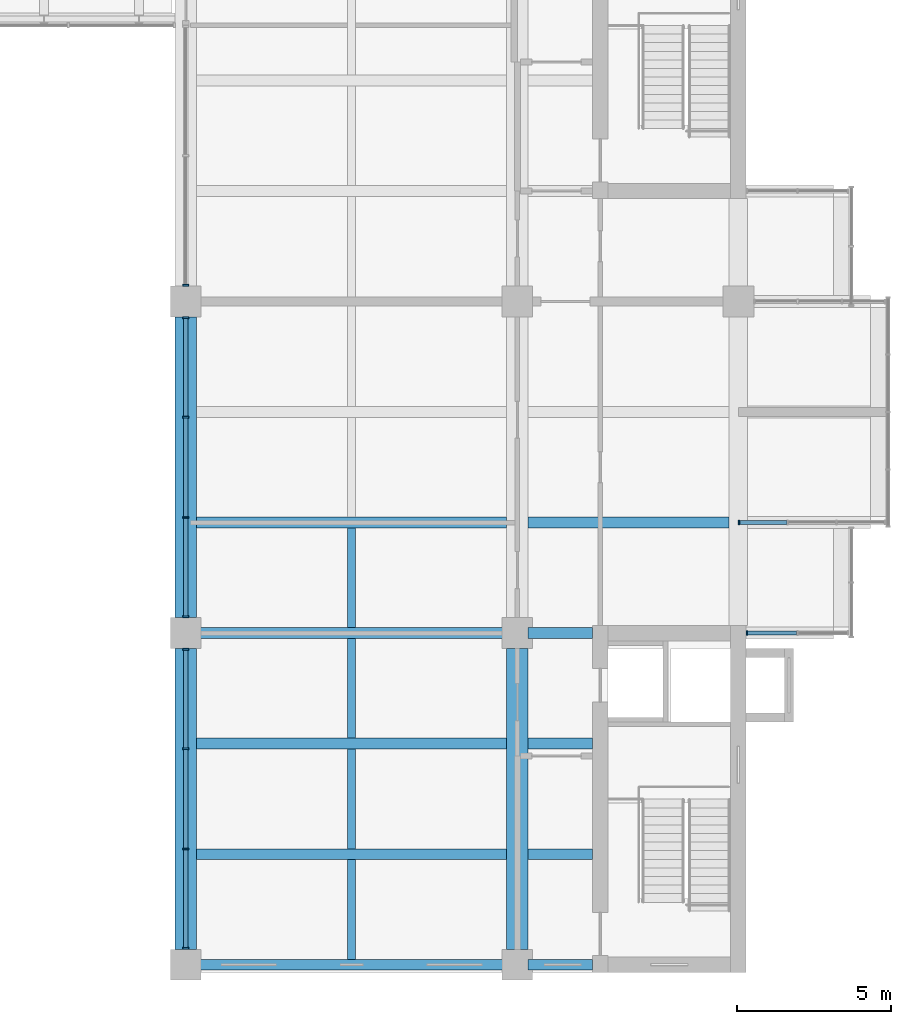
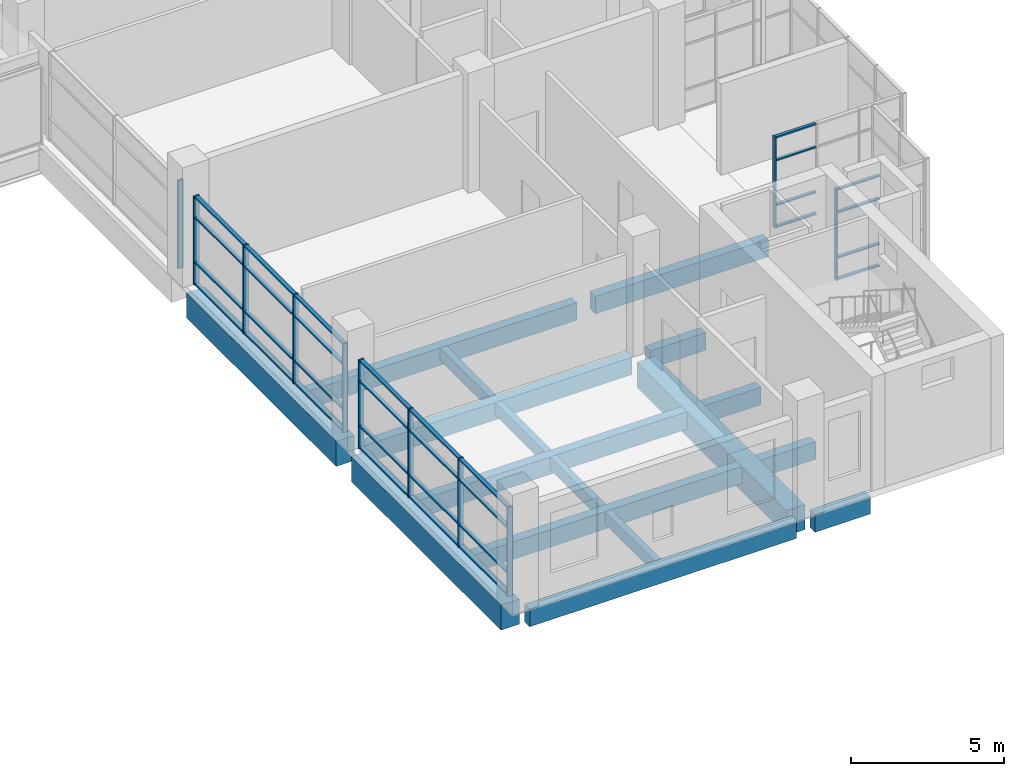
# One storey, part 5 of 35: 43 members, 17 beams, 5 elements without a shape of their own.
"""IFC4 building model written with IfcOpenShell, lengths in metres."""

from ifc_helpers import new_model, si_unit, direction, frame, origin, origin_2d, place, context, subcontext, project, spatial, rectangle, extrude, material, layer, layer_set, material_profile, profile_set, type_object, element, aggregate, save


model = new_model("IFC4")

# Units and contexts
model_context = context("Model", 3, precision=1e-05, world=origin(), true_north=direction((0.0, 1.0)))
body_context = subcontext(model_context, "Body", "Model", "MODEL_VIEW")
ifc_project = project(units=[si_unit("LENGTHUNIT", "METRE"), si_unit("AREAUNIT", "SQUARE_METRE"), si_unit("VOLUMEUNIT", "CUBIC_METRE"), si_unit("PLANEANGLEUNIT", "RADIAN"), si_unit("MASSUNIT", "GRAM", prefix="KILO")], contexts=[model_context])

# Site, building, storey
site_placement = place(None, origin())
site = spatial("IfcSite", under=ifc_project, at=site_placement, CompositionType="ELEMENT")
building_placement = place(site_placement, origin())
building = spatial("IfcBuilding", under=site, at=building_placement, Name="Basin Gate Institute", CompositionType="ELEMENT")
storey_placement = place(building_placement, frame((0.0, 0.0, 31.800048828125)))
storey = spatial("IfcBuildingStorey", under=building, at=storey_placement, Name="L06", CompositionType="ELEMENT", Elevation=31.800048828125)

# Beams
ifc_material_1 = material(Name="Concrete 40 MPa", Category="concrete")
ifc_material_profile_1 = material_profile(ifc_material_1, rectangle(XDim=0.35009765625, YDim=0.699951171875, at=origin_2d()), Name="Beam B1 350 x 700")
ifc_profile_set_1 = profile_set([ifc_material_profile_1], Name="Concrete 40 MPa")
beam_type_1 = type_object("IfcBeamType", Name="Beam B1 R120", PredefinedType="BEAM", material=ifc_profile_set_1)
beam_1_placement = place(storey_placement, frame((111.25, 35.10009765625, -0.60009765625), z_axis=(-1.0, 0.0, 0.0), x_axis=(0.0, -1.0, 0.0)))
element("IfcBeam", 1, at=beam_1_placement, inside=storey, type_object=beam_type_1, material=ifc_profile_set_1, Name="BEAM/L06/E/EW/01", PredefinedType="BEAM", context=body_context, shape_type="SweptSolid", body=[
    extrude(rectangle(XDim=0.35009765625, YDim=0.699951171875, at=origin_2d()), origin(), (0.0, 0.0, 1.0), 10.10009765625),
])
beam_2_placement = place(storey_placement, frame((114.050048828125, 35.10009765625, -0.60009765625), z_axis=(-1.0, 0.0, 0.0), x_axis=(0.0, -1.0, 0.0)))
element("IfcBeam", 2, at=beam_2_placement, inside=storey, type_object=beam_type_1, material=ifc_profile_set_1, Name="BEAM/L06/E/CORR/01", PredefinedType="BEAM", context=body_context, shape_type="SweptSolid", body=[
    extrude(rectangle(XDim=0.35009765625, YDim=0.699951171875, at=origin_2d()), origin(), (0.0, 0.0, 1.0), 2.10009765625),
])
beam_3_placement = place(storey_placement, frame((111.25, 38.699951171875, -0.60009765625), z_axis=(-1.0, 0.0, 0.0), x_axis=(0.0, -1.0, 0.0)))
element("IfcBeam", 3, at=beam_3_placement, inside=storey, type_object=beam_type_1, material=ifc_profile_set_1, Name="BEAM/L06/E/EW/02", PredefinedType="BEAM", context=body_context, shape_type="SweptSolid", body=[
    extrude(rectangle(XDim=0.35009765625, YDim=0.699951171875, at=origin_2d()), origin(), (0.0, 0.0, 1.0), 10.10009765625),
])
beam_4_placement = place(storey_placement, frame((114.050048828125, 38.699951171875, -0.60009765625), z_axis=(-1.0, 0.0, 0.0), x_axis=(0.0, -1.0, 0.0)))
element("IfcBeam", 4, at=beam_4_placement, inside=storey, type_object=beam_type_1, material=ifc_profile_set_1, Name="BEAM/L06/E/CORR/02", PredefinedType="BEAM", context=body_context, shape_type="SweptSolid", body=[
    extrude(rectangle(XDim=0.35009765625, YDim=0.699951171875, at=origin_2d()), origin(), (0.0, 0.0, 1.0), 2.10009765625),
])
beam_5_placement = place(storey_placement, frame((111.25, 42.300048828125, -0.60009765625), z_axis=(-1.0, 0.0, 0.0), x_axis=(0.0, -1.0, 0.0)))
element("IfcBeam", 5, at=beam_5_placement, inside=storey, type_object=beam_type_1, material=ifc_profile_set_1, Name="BEAM/L06/E/EW/03", PredefinedType="BEAM", context=body_context, shape_type="SweptSolid", body=[
    extrude(rectangle(XDim=0.35009765625, YDim=0.699951171875, at=origin_2d()), origin(), (0.0, 0.0, 1.0), 10.10009765625),
])
beam_6_placement = place(storey_placement, frame((114.050048828125, 42.300048828125, -0.60009765625), z_axis=(-1.0, 0.0, 0.0), x_axis=(0.0, -1.0, 0.0)))
element("IfcBeam", 6, at=beam_6_placement, inside=storey, type_object=beam_type_1, material=ifc_profile_set_1, Name="BEAM/L06/E/CORR/03", PredefinedType="BEAM", context=body_context, shape_type="SweptSolid", body=[
    extrude(rectangle(XDim=0.35009765625, YDim=0.699951171875, at=origin_2d()), origin(), (0.0, 0.0, 1.0), 2.10009765625),
])
beam_7_placement = place(storey_placement, frame((111.25, 45.89990234375, -0.60009765625), z_axis=(-1.0, 0.0, 0.0), x_axis=(0.0, -1.0, 0.0)))
element("IfcBeam", 7, at=beam_7_placement, inside=storey, type_object=beam_type_1, material=ifc_profile_set_1, Name="BEAM/L06/E/EW/04", PredefinedType="BEAM", context=body_context, shape_type="SweptSolid", body=[
    extrude(rectangle(XDim=0.35009765625, YDim=0.699951171875, at=origin_2d()), origin(), (0.0, 0.0, 1.0), 10.10009765625),
])
beam_8_placement = place(storey_placement, frame((114.050048828125, 45.89990234375, -0.60009765625), z_axis=(-1.0, 0.0, 0.0), x_axis=(0.0, -1.0, 0.0)))
element("IfcBeam", 8, at=beam_8_placement, inside=storey, type_object=beam_type_1, material=ifc_profile_set_1, Name="BEAM/L06/E/CORR/04", PredefinedType="BEAM", context=body_context, shape_type="SweptSolid", body=[
    extrude(rectangle(XDim=0.35009765625, YDim=0.699951171875, at=origin_2d()), origin(), (0.0, 0.0, 1.0), 2.10009765625),
])
beam_9_placement = place(storey_placement, frame((111.25, 49.5, -0.60009765625), z_axis=(-1.0, 0.0, 0.0), x_axis=(0.0, -1.0, 0.0)))
element("IfcBeam", 9, at=beam_9_placement, inside=storey, type_object=beam_type_1, material=ifc_profile_set_1, Name="BEAM/L06/E/EW/05", PredefinedType="BEAM", context=body_context, shape_type="SweptSolid", body=[
    extrude(rectangle(XDim=0.35009765625, YDim=0.699951171875, at=origin_2d()), origin(), (0.0, 0.0, 1.0), 10.10009765625),
])
beam_10_placement = place(storey_placement, frame((118.5, 49.5, -0.60009765625), z_axis=(-1.0, 0.0, 0.0), x_axis=(0.0, -1.0, 0.0)))
element("IfcBeam", 10, at=beam_10_placement, inside=storey, type_object=beam_type_1, material=ifc_profile_set_1, Name="BEAM/L06/E/OUT/05", PredefinedType="BEAM", context=body_context, shape_type="SweptSolid", body=[
    extrude(rectangle(XDim=0.35009765625, YDim=0.699951171875, at=origin_2d()), origin(), (0.0, 0.0, 1.0), 6.550048828125),
])
ifc_material_2 = material(Name="Concrete 50 MPa", Category="concrete")
ifc_material_profile_2 = material_profile(ifc_material_2, rectangle(XDim=0.699951171875, YDim=1.0, at=origin_2d()), Name="Girder G1 700 x 1000")
ifc_profile_set_2 = profile_set([ifc_material_profile_2], Name="Concrete 50 MPa")
beam_type_2 = type_object("IfcBeamType", Name="Girder G1 R120", PredefinedType="BEAM", material=ifc_profile_set_2)
for number, where, z_axis, x_axis, name in (
    (11, (111.60009765625, 35.60009765625, -0.75), (0.0, 1.0, 0.0), (-1.0, 0.0, 0.0), "GIR/L06/E8/1"),
    (12, (100.800048828125, 35.60009765625, -0.75), (0.0, 1.0, 0.0), (-1.0, 0.0, 0.0), "GIR/L06/E7/1"),
):
    element("IfcBeam", number, at=place(storey_placement, frame(where, z_axis=z_axis, x_axis=x_axis)), inside=storey, type_object=beam_type_2, material=ifc_profile_set_2, Name=name, PredefinedType="BEAM", context=body_context, shape_type="SweptSolid", body=[
        extrude(rectangle(XDim=0.699951171875, YDim=1.0, at=origin_2d()), origin(), (0.0, 0.0, 1.0), 9.7998046875),
    ])
beam_11_placement = place(storey_placement, frame((100.800048828125, 46.39990234375, -0.75), z_axis=(0.0, 1.0, 0.0), x_axis=(-1.0, 0.0, 0.0)))
element("IfcBeam", 13, at=beam_11_placement, inside=storey, type_object=beam_type_2, material=ifc_profile_set_2, Name="GIR/L06/E7/2", PredefinedType="BEAM", context=body_context, shape_type="SweptSolid", body=[
    extrude(rectangle(XDim=0.699951171875, YDim=1.0, at=origin_2d()), origin(), (0.0, 0.0, 1.0), 9.800048828125),
])

# Curtain wall, member
ifc_material_3 = material(Name="Aluminium-framed glazing", Category="aluminium")
ifc_layer_1 = layer(ifc_material_3, 0.14990234375)
ifc_layer_set_1 = layer_set([ifc_layer_1], Name="Capsule front curtain wall CW1")
curtain_wall_type_1 = type_object("IfcCurtainWallType", Name="Capsule front curtain wall CW1", PredefinedType="NOTDEFINED", material=ifc_layer_set_1)
curtain_wall_1_placement = place(storey_placement, origin())
curtain_wall_1 = element("IfcCurtainWall", 14, at=curtain_wall_1_placement, inside=storey, type_object=curtain_wall_type_1, material=ifc_layer_set_1, Name="Capsule front curtain wall E wing capsule end L06 line 4", PredefinedType="NOTDEFINED")
ifc_material_4 = material(Name="Aluminium", Category="aluminium")
ifc_material_profile_3 = material_profile(ifc_material_4, rectangle(XDim=0.14990234375, YDim=0.050048828125, at=origin_2d()), Name="Mullion MU1 150 x 50")
ifc_profile_set_3 = profile_set([ifc_material_profile_3], Name="Aluminium")
member_type_1 = type_object("IfcMemberType", Name="Mullion MU1", PredefinedType="MULLION", material=ifc_profile_set_3)
member_1_placement = place(storey_placement, frame((119.074951171875, 45.89990234375, 0.0), z_axis=(0.0, 0.0, 1.0), x_axis=(0.0, -1.0, 0.0)))
member_1 = element("IfcMember", 15, at=member_1_placement, type_object=member_type_1, material=ifc_profile_set_3, Name="CW1 mullion 3", PredefinedType="MULLION", context=body_context, shape_type="SweptSolid", body=[
    extrude(rectangle(XDim=0.14990234375, YDim=0.050048828125, at=origin_2d()), origin(), (0.0, 0.0, 1.0), 3.64990234375),
])

curtain_wall_2_placement = place(storey_placement, origin())
curtain_wall_2 = element("IfcCurtainWall", 16, at=curtain_wall_2_placement, inside=storey, type_object=curtain_wall_type_1, material=ifc_layer_set_1, Name="Capsule front curtain wall E wing capsule end L06 line 5", PredefinedType="NOTDEFINED")
member_2_placement = place(storey_placement, frame((118.824951171875, 49.5, 0.0), z_axis=(0.0, 0.0, 1.0), x_axis=(0.0, -1.0, 0.0)))
member_2 = element("IfcMember", 17, at=member_2_placement, type_object=member_type_1, material=ifc_profile_set_3, Name="CW1 mullion 4", PredefinedType="MULLION", context=body_context, shape_type="SweptSolid", body=[
    extrude(rectangle(XDim=0.14990234375, YDim=0.050048828125, at=origin_2d()), origin(), (0.0, 0.0, 1.0), 3.64990234375),
])

# Curtain wall, members
ifc_material_5 = material(Name="Aluminium-framed glazing", Category="aluminium")
ifc_layer_2 = layer(ifc_material_5, 0.199951171875)
ifc_layer_set_2 = layer_set([ifc_layer_2], Name="Atrium curtain wall CW2")
curtain_wall_type_2 = type_object("IfcCurtainWallType", Name="Atrium curtain wall CW2", PredefinedType="NOTDEFINED", material=ifc_layer_set_2)
curtain_wall_3_placement = place(storey_placement, origin())
curtain_wall_3 = element("IfcCurtainWall", 18, at=curtain_wall_3_placement, inside=storey, type_object=curtain_wall_type_2, material=ifc_layer_set_2, Name="Atrium curtain wall E wing atrium bay 1 L06", PredefinedType="NOTDEFINED")
ifc_material_6 = material(Name="Aluminium", Category="aluminium")
ifc_material_profile_4 = material_profile(ifc_material_6, rectangle(XDim=0.199951171875, YDim=0.06005859375, at=origin_2d()), Name="Mullion MU2 200 x 60")
ifc_profile_set_4 = profile_set([ifc_material_profile_4], Name="Aluminium")
member_type_2 = type_object("IfcMemberType", Name="Mullion MU2", PredefinedType="MULLION", material=ifc_profile_set_4)
member_3_placement = place(storey_placement, frame((100.800048828125, 35.6298828125, 0.0), z_axis=(0.0, 0.0, 1.0), x_axis=(-1.0, 0.0, 0.0)))
member_3 = element("IfcMember", 19, at=member_3_placement, type_object=member_type_2, material=ifc_profile_set_4, Name="CW2 mullion 1", PredefinedType="MULLION", context=body_context, shape_type="SweptSolid", body=[
    extrude(rectangle(XDim=0.199951171875, YDim=0.06005859375, at=origin_2d()), origin(), (0.0, 0.0, 1.0), 3.550048828125),
])
member_4_placement = place(storey_placement, frame((100.800048828125, 38.86669921875, 0.0), z_axis=(0.0, 0.0, 1.0), x_axis=(-1.0, 0.0, 0.0)))
member_4 = element("IfcMember", 20, at=member_4_placement, type_object=member_type_2, material=ifc_profile_set_4, Name="CW2 mullion 2", PredefinedType="MULLION", context=body_context, shape_type="SweptSolid", body=[
    extrude(rectangle(XDim=0.199951171875, YDim=0.06005859375, at=origin_2d()), origin(), (0.0, 0.0, 1.0), 3.550048828125),
])
member_5_placement = place(storey_placement, frame((100.800048828125, 42.13330078125, 0.0), z_axis=(0.0, 0.0, 1.0), x_axis=(-1.0, 0.0, 0.0)))
member_5 = element("IfcMember", 21, at=member_5_placement, type_object=member_type_2, material=ifc_profile_set_4, Name="CW2 mullion 3", PredefinedType="MULLION", context=body_context, shape_type="SweptSolid", body=[
    extrude(rectangle(XDim=0.199951171875, YDim=0.06005859375, at=origin_2d()), origin(), (0.0, 0.0, 1.0), 3.550048828125),
])
member_6_placement = place(storey_placement, frame((100.800048828125, 45.3701171875, 0.0), z_axis=(0.0, 0.0, 1.0), x_axis=(-1.0, 0.0, 0.0)))
member_6 = element("IfcMember", 22, at=member_6_placement, type_object=member_type_2, material=ifc_profile_set_4, Name="CW2 mullion 4", PredefinedType="MULLION", context=body_context, shape_type="SweptSolid", body=[
    extrude(rectangle(XDim=0.199951171875, YDim=0.06005859375, at=origin_2d()), origin(), (0.0, 0.0, 1.0), 3.550048828125),
])

curtain_wall_4_placement = place(storey_placement, origin())
curtain_wall_4 = element("IfcCurtainWall", 23, at=curtain_wall_4_placement, inside=storey, type_object=curtain_wall_type_2, material=ifc_layer_set_2, Name="Atrium curtain wall E wing atrium bay 2 L06", PredefinedType="NOTDEFINED")
member_7_placement = place(storey_placement, frame((100.800048828125, 46.429931640625, 0.0), z_axis=(0.0, 0.0, 1.0), x_axis=(-1.0, 0.0, 0.0)))
member_7 = element("IfcMember", 24, at=member_7_placement, type_object=member_type_2, material=ifc_profile_set_4, Name="CW2 mullion 1", PredefinedType="MULLION", context=body_context, shape_type="SweptSolid", body=[
    extrude(rectangle(XDim=0.199951171875, YDim=0.06005859375, at=origin_2d()), origin(), (0.0, 0.0, 1.0), 3.550048828125),
])
member_8_placement = place(storey_placement, frame((100.800048828125, 49.666748046875, 0.0), z_axis=(0.0, 0.0, 1.0), x_axis=(-1.0, 0.0, 0.0)))
member_8 = element("IfcMember", 25, at=member_8_placement, type_object=member_type_2, material=ifc_profile_set_4, Name="CW2 mullion 2", PredefinedType="MULLION", context=body_context, shape_type="SweptSolid", body=[
    extrude(rectangle(XDim=0.199951171875, YDim=0.06005859375, at=origin_2d()), origin(), (0.0, 0.0, 1.0), 3.550048828125),
])
member_9_placement = place(storey_placement, frame((100.800048828125, 52.933349609375, 0.0), z_axis=(0.0, 0.0, 1.0), x_axis=(-1.0, 0.0, 0.0)))
member_9 = element("IfcMember", 26, at=member_9_placement, type_object=member_type_2, material=ifc_profile_set_4, Name="CW2 mullion 3", PredefinedType="MULLION", context=body_context, shape_type="SweptSolid", body=[
    extrude(rectangle(XDim=0.199951171875, YDim=0.06005859375, at=origin_2d()), origin(), (0.0, 0.0, 1.0), 3.550048828125),
])
member_10_placement = place(storey_placement, frame((100.800048828125, 56.169921875, 0.0), z_axis=(0.0, 0.0, 1.0), x_axis=(-1.0, 0.0, 0.0)))
member_10 = element("IfcMember", 27, at=member_10_placement, type_object=member_type_2, material=ifc_profile_set_4, Name="CW2 mullion 4", PredefinedType="MULLION", context=body_context, shape_type="SweptSolid", body=[
    extrude(rectangle(XDim=0.199951171875, YDim=0.06005859375, at=origin_2d()), origin(), (0.0, 0.0, 1.0), 3.550048828125),
])

# Curtain wall, member
curtain_wall_5_placement = place(storey_placement, origin())
curtain_wall_5 = element("IfcCurtainWall", 28, at=curtain_wall_5_placement, inside=storey, type_object=curtain_wall_type_2, material=ifc_layer_set_2, Name="Atrium curtain wall E wing atrium bay 3 L06 part 1", PredefinedType="NOTDEFINED")
member_11_placement = place(storey_placement, frame((100.800048828125, 57.22998046875, 0.0), z_axis=(0.0, 0.0, 1.0), x_axis=(-1.0, 0.0, 0.0)))
member_11 = element("IfcMember", 29, at=member_11_placement, type_object=member_type_2, material=ifc_profile_set_4, Name="CW2 mullion 1", PredefinedType="MULLION", context=body_context, shape_type="SweptSolid", body=[
    extrude(rectangle(XDim=0.199951171875, YDim=0.06005859375, at=origin_2d()), origin(), (0.0, 0.0, 1.0), 3.550048828125),
])
aggregate(curtain_wall_5, [member_11])

# Beams
ifc_material_7 = material(Name="Concrete 40 MPa", Category="concrete")
ifc_material_profile_5 = material_profile(ifc_material_7, rectangle(XDim=0.25, YDim=0.5, at=origin_2d()), Name="Rib R1 250 x 500")
ifc_profile_set_5 = profile_set([ifc_material_profile_5], Name="Concrete 40 MPa")
beam_type_3 = type_object("IfcBeamType", Name="Rib R1 R120", PredefinedType="JOIST", material=ifc_profile_set_5)
for number, where, z_axis, x_axis, name in (
    (30, (106.199951171875, 35.27490234375, -0.5), (0.0, 1.0, 0.0), (-1.0, 0.0, 0.0), "BEAM/L06/E/RIB/01"),
    (31, (106.199951171875, 38.875, -0.5), (0.0, 1.0, 0.0), (-1.0, 0.0, 0.0), "BEAM/L06/E/RIB/02"),
    (32, (106.199951171875, 42.47509765625, -0.5), (0.0, 1.0, 0.0), (-1.0, 0.0, 0.0), "BEAM/L06/E/RIB/03"),
    (33, (106.199951171875, 46.074951171875, -0.5), (0.0, 1.0, 0.0), (-1.0, 0.0, 0.0), "BEAM/L06/E/RIB/04"),
):
    element("IfcBeam", number, at=place(storey_placement, frame(where, z_axis=z_axis, x_axis=x_axis)), inside=storey, type_object=beam_type_3, material=ifc_profile_set_5, Name=name, PredefinedType="JOIST", context=body_context, shape_type="SweptSolid", body=[
        extrude(rectangle(XDim=0.25, YDim=0.5, at=origin_2d()), origin(), (0.0, 0.0, 1.0), 3.25),
    ])

# Member
ifc_material_8 = material(Name="Aluminium", Category="aluminium")
ifc_material_profile_6 = material_profile(ifc_material_8, rectangle(XDim=0.1201171875, YDim=0.06005859375, at=origin_2d()), Name="Transom TR1 120 x 60")
ifc_profile_set_6 = profile_set([ifc_material_profile_6], Name="Aluminium")
member_type_3 = type_object("IfcMemberType", Name="Transom TR1", PredefinedType="USERDEFINED", material=ifc_profile_set_6)
member_12_placement = place(storey_placement, frame((120.699951171875, 45.89990234375, 0.030029296875), z_axis=(-1.0, 0.0, 0.0), x_axis=(0.0, -1.0, 0.0)))
member_12 = element("IfcMember", 34, at=member_12_placement, type_object=member_type_3, material=ifc_profile_set_6, Name="CW1 transom 2.1", ObjectType="TRANSOM", PredefinedType="USERDEFINED", context=body_context, shape_type="SweptSolid", body=[
    extrude(rectangle(XDim=0.1201171875, YDim=0.06005859375, at=origin_2d()), origin(), (0.0, 0.0, 1.0), 1.599853515625),
])

member_13_placement = place(storey_placement, frame((120.699951171875, 45.89990234375, 0.89990234375), z_axis=(-1.0, 0.0, 0.0), x_axis=(0.0, -1.0, 0.0)))
member_13 = element("IfcMember", 35, at=member_13_placement, type_object=member_type_3, material=ifc_profile_set_6, Name="CW1 transom 2.2", ObjectType="TRANSOM", PredefinedType="USERDEFINED", context=body_context, shape_type="SweptSolid", body=[
    extrude(rectangle(XDim=0.1201171875, YDim=0.06005859375, at=origin_2d()), origin(), (0.0, 0.0, 1.0), 1.599853515625),
])

member_14_placement = place(storey_placement, frame((120.699951171875, 45.89990234375, 2.699951171875), z_axis=(-1.0, 0.0, 0.0), x_axis=(0.0, -1.0, 0.0)))
member_14 = element("IfcMember", 36, at=member_14_placement, type_object=member_type_3, material=ifc_profile_set_6, Name="CW1 transom 2.3", ObjectType="TRANSOM", PredefinedType="USERDEFINED", context=body_context, shape_type="SweptSolid", body=[
    extrude(rectangle(XDim=0.1201171875, YDim=0.06005859375, at=origin_2d()), origin(), (0.0, 0.0, 1.0), 1.599853515625),
])

member_15_placement = place(storey_placement, frame((120.699951171875, 45.89990234375, 3.619873046875), z_axis=(-1.0, 0.0, 0.0), x_axis=(0.0, -1.0, 0.0)))
member_15 = element("IfcMember", 37, at=member_15_placement, type_object=member_type_3, material=ifc_profile_set_6, Name="CW1 transom 2.4", ObjectType="TRANSOM", PredefinedType="USERDEFINED", context=body_context, shape_type="SweptSolid", body=[
    extrude(rectangle(XDim=0.1201171875, YDim=0.06005859375, at=origin_2d()), origin(), (0.0, 0.0, 1.0), 1.599853515625),
])

aggregate(curtain_wall_1, [member_1, member_12, member_13, member_14, member_15])

member_16_placement = place(storey_placement, frame((120.375, 49.5, 0.030029296875), z_axis=(-1.0, 0.0, 0.0), x_axis=(0.0, -1.0, 0.0)))
member_16 = element("IfcMember", 38, at=member_16_placement, type_object=member_type_3, material=ifc_profile_set_6, Name="CW1 transom 3.1", ObjectType="TRANSOM", PredefinedType="USERDEFINED", context=body_context, shape_type="SweptSolid", body=[
    extrude(rectangle(XDim=0.1201171875, YDim=0.06005859375, at=origin_2d()), origin(), (0.0, 0.0, 1.0), 1.52490234375),
])

member_17_placement = place(storey_placement, frame((120.375, 49.5, 0.89990234375), z_axis=(-1.0, 0.0, 0.0), x_axis=(0.0, -1.0, 0.0)))
member_17 = element("IfcMember", 39, at=member_17_placement, type_object=member_type_3, material=ifc_profile_set_6, Name="CW1 transom 3.2", ObjectType="TRANSOM", PredefinedType="USERDEFINED", context=body_context, shape_type="SweptSolid", body=[
    extrude(rectangle(XDim=0.1201171875, YDim=0.06005859375, at=origin_2d()), origin(), (0.0, 0.0, 1.0), 1.52490234375),
])

member_18_placement = place(storey_placement, frame((120.375, 49.5, 2.699951171875), z_axis=(-1.0, 0.0, 0.0), x_axis=(0.0, -1.0, 0.0)))
member_18 = element("IfcMember", 40, at=member_18_placement, type_object=member_type_3, material=ifc_profile_set_6, Name="CW1 transom 3.3", ObjectType="TRANSOM", PredefinedType="USERDEFINED", context=body_context, shape_type="SweptSolid", body=[
    extrude(rectangle(XDim=0.1201171875, YDim=0.06005859375, at=origin_2d()), origin(), (0.0, 0.0, 1.0), 1.52490234375),
])

member_19_placement = place(storey_placement, frame((120.375, 49.5, 3.619873046875), z_axis=(-1.0, 0.0, 0.0), x_axis=(0.0, -1.0, 0.0)))
member_19 = element("IfcMember", 41, at=member_19_placement, type_object=member_type_3, material=ifc_profile_set_6, Name="CW1 transom 3.4", ObjectType="TRANSOM", PredefinedType="USERDEFINED", context=body_context, shape_type="SweptSolid", body=[
    extrude(rectangle(XDim=0.1201171875, YDim=0.06005859375, at=origin_2d()), origin(), (0.0, 0.0, 1.0), 1.52490234375),
])

aggregate(curtain_wall_2, [member_2, member_16, member_17, member_18, member_19])

ifc_material_9 = material(Name="Aluminium", Category="aluminium")
ifc_material_profile_7 = material_profile(ifc_material_9, rectangle(XDim=0.14990234375, YDim=0.06005859375, at=origin_2d()), Name="Transom TR2 150 x 60")
ifc_profile_set_7 = profile_set([ifc_material_profile_7], Name="Aluminium")
member_type_4 = type_object("IfcMemberType", Name="Transom TR2", PredefinedType="USERDEFINED", material=ifc_profile_set_7)
member_20_placement = place(storey_placement, frame((100.800048828125, 35.659912109375, 0.030029296875), z_axis=(0.0, 1.0, 0.0), x_axis=(-1.0, 0.0, 0.0)))
member_20 = element("IfcMember", 42, at=member_20_placement, type_object=member_type_4, material=ifc_profile_set_7, Name="CW2 transom 1.1", ObjectType="TRANSOM", PredefinedType="USERDEFINED", context=body_context, shape_type="SweptSolid", body=[
    extrude(rectangle(XDim=0.14990234375, YDim=0.06005859375, at=origin_2d()), origin(), (0.0, 0.0, 1.0), 3.1767578125),
])

member_21_placement = place(storey_placement, frame((100.800048828125, 35.659912109375, 0.89990234375), z_axis=(0.0, 1.0, 0.0), x_axis=(-1.0, 0.0, 0.0)))
member_21 = element("IfcMember", 43, at=member_21_placement, type_object=member_type_4, material=ifc_profile_set_7, Name="CW2 transom 1.2", ObjectType="TRANSOM", PredefinedType="USERDEFINED", context=body_context, shape_type="SweptSolid", body=[
    extrude(rectangle(XDim=0.14990234375, YDim=0.06005859375, at=origin_2d()), origin(), (0.0, 0.0, 1.0), 3.1767578125),
])

member_22_placement = place(storey_placement, frame((100.800048828125, 35.659912109375, 2.699951171875), z_axis=(0.0, 1.0, 0.0), x_axis=(-1.0, 0.0, 0.0)))
member_22 = element("IfcMember", 44, at=member_22_placement, type_object=member_type_4, material=ifc_profile_set_7, Name="CW2 transom 1.3", ObjectType="TRANSOM", PredefinedType="USERDEFINED", context=body_context, shape_type="SweptSolid", body=[
    extrude(rectangle(XDim=0.14990234375, YDim=0.06005859375, at=origin_2d()), origin(), (0.0, 0.0, 1.0), 3.1767578125),
])

member_23_placement = place(storey_placement, frame((100.800048828125, 35.659912109375, 3.52001953125), z_axis=(0.0, 1.0, 0.0), x_axis=(-1.0, 0.0, 0.0)))
member_23 = element("IfcMember", 45, at=member_23_placement, type_object=member_type_4, material=ifc_profile_set_7, Name="CW2 transom 1.4", ObjectType="TRANSOM", PredefinedType="USERDEFINED", context=body_context, shape_type="SweptSolid", body=[
    extrude(rectangle(XDim=0.14990234375, YDim=0.06005859375, at=origin_2d()), origin(), (0.0, 0.0, 1.0), 3.1767578125),
])

member_24_placement = place(storey_placement, frame((100.800048828125, 38.896728515625, 0.030029296875), z_axis=(0.0, 1.0, 0.0), x_axis=(-1.0, 0.0, 0.0)))
member_24 = element("IfcMember", 46, at=member_24_placement, type_object=member_type_4, material=ifc_profile_set_7, Name="CW2 transom 2.1", ObjectType="TRANSOM", PredefinedType="USERDEFINED", context=body_context, shape_type="SweptSolid", body=[
    extrude(rectangle(XDim=0.14990234375, YDim=0.06005859375, at=origin_2d()), origin(), (0.0, 0.0, 1.0), 3.20654296875),
])

member_25_placement = place(storey_placement, frame((100.800048828125, 38.896728515625, 0.89990234375), z_axis=(0.0, 1.0, 0.0), x_axis=(-1.0, 0.0, 0.0)))
member_25 = element("IfcMember", 47, at=member_25_placement, type_object=member_type_4, material=ifc_profile_set_7, Name="CW2 transom 2.2", ObjectType="TRANSOM", PredefinedType="USERDEFINED", context=body_context, shape_type="SweptSolid", body=[
    extrude(rectangle(XDim=0.14990234375, YDim=0.06005859375, at=origin_2d()), origin(), (0.0, 0.0, 1.0), 3.20654296875),
])

member_26_placement = place(storey_placement, frame((100.800048828125, 38.896728515625, 2.699951171875), z_axis=(0.0, 1.0, 0.0), x_axis=(-1.0, 0.0, 0.0)))
member_26 = element("IfcMember", 48, at=member_26_placement, type_object=member_type_4, material=ifc_profile_set_7, Name="CW2 transom 2.3", ObjectType="TRANSOM", PredefinedType="USERDEFINED", context=body_context, shape_type="SweptSolid", body=[
    extrude(rectangle(XDim=0.14990234375, YDim=0.06005859375, at=origin_2d()), origin(), (0.0, 0.0, 1.0), 3.20654296875),
])

member_27_placement = place(storey_placement, frame((100.800048828125, 38.896728515625, 3.52001953125), z_axis=(0.0, 1.0, 0.0), x_axis=(-1.0, 0.0, 0.0)))
member_27 = element("IfcMember", 49, at=member_27_placement, type_object=member_type_4, material=ifc_profile_set_7, Name="CW2 transom 2.4", ObjectType="TRANSOM", PredefinedType="USERDEFINED", context=body_context, shape_type="SweptSolid", body=[
    extrude(rectangle(XDim=0.14990234375, YDim=0.06005859375, at=origin_2d()), origin(), (0.0, 0.0, 1.0), 3.20654296875),
])

member_28_placement = place(storey_placement, frame((100.800048828125, 42.163330078125, 0.030029296875), z_axis=(0.0, 1.0, 0.0), x_axis=(-1.0, 0.0, 0.0)))
member_28 = element("IfcMember", 50, at=member_28_placement, type_object=member_type_4, material=ifc_profile_set_7, Name="CW2 transom 3.1", ObjectType="TRANSOM", PredefinedType="USERDEFINED", context=body_context, shape_type="SweptSolid", body=[
    extrude(rectangle(XDim=0.14990234375, YDim=0.06005859375, at=origin_2d()), origin(), (0.0, 0.0, 1.0), 3.1767578125),
])

member_29_placement = place(storey_placement, frame((100.800048828125, 42.163330078125, 0.89990234375), z_axis=(0.0, 1.0, 0.0), x_axis=(-1.0, 0.0, 0.0)))
member_29 = element("IfcMember", 51, at=member_29_placement, type_object=member_type_4, material=ifc_profile_set_7, Name="CW2 transom 3.2", ObjectType="TRANSOM", PredefinedType="USERDEFINED", context=body_context, shape_type="SweptSolid", body=[
    extrude(rectangle(XDim=0.14990234375, YDim=0.06005859375, at=origin_2d()), origin(), (0.0, 0.0, 1.0), 3.1767578125),
])

member_30_placement = place(storey_placement, frame((100.800048828125, 42.163330078125, 2.699951171875), z_axis=(0.0, 1.0, 0.0), x_axis=(-1.0, 0.0, 0.0)))
member_30 = element("IfcMember", 52, at=member_30_placement, type_object=member_type_4, material=ifc_profile_set_7, Name="CW2 transom 3.3", ObjectType="TRANSOM", PredefinedType="USERDEFINED", context=body_context, shape_type="SweptSolid", body=[
    extrude(rectangle(XDim=0.14990234375, YDim=0.06005859375, at=origin_2d()), origin(), (0.0, 0.0, 1.0), 3.1767578125),
])

member_31_placement = place(storey_placement, frame((100.800048828125, 42.163330078125, 3.52001953125), z_axis=(0.0, 1.0, 0.0), x_axis=(-1.0, 0.0, 0.0)))
member_31 = element("IfcMember", 53, at=member_31_placement, type_object=member_type_4, material=ifc_profile_set_7, Name="CW2 transom 3.4", ObjectType="TRANSOM", PredefinedType="USERDEFINED", context=body_context, shape_type="SweptSolid", body=[
    extrude(rectangle(XDim=0.14990234375, YDim=0.06005859375, at=origin_2d()), origin(), (0.0, 0.0, 1.0), 3.1767578125),
])

aggregate(curtain_wall_3, [member_3, member_4, member_5, member_6, member_20, member_21, member_22, member_23, member_24, member_25, member_26, member_27, member_28, member_29, member_30, member_31])

member_32_placement = place(storey_placement, frame((100.800048828125, 46.4599609375, 0.030029296875), z_axis=(0.0, 1.0, 0.0), x_axis=(-1.0, 0.0, 0.0)))
member_32 = element("IfcMember", 54, at=member_32_placement, type_object=member_type_4, material=ifc_profile_set_7, Name="CW2 transom 1.1", ObjectType="TRANSOM", PredefinedType="USERDEFINED", context=body_context, shape_type="SweptSolid", body=[
    extrude(rectangle(XDim=0.14990234375, YDim=0.06005859375, at=origin_2d()), origin(), (0.0, 0.0, 1.0), 3.1767578125),
])

member_33_placement = place(storey_placement, frame((100.800048828125, 46.4599609375, 0.89990234375), z_axis=(0.0, 1.0, 0.0), x_axis=(-1.0, 0.0, 0.0)))
member_33 = element("IfcMember", 55, at=member_33_placement, type_object=member_type_4, material=ifc_profile_set_7, Name="CW2 transom 1.2", ObjectType="TRANSOM", PredefinedType="USERDEFINED", context=body_context, shape_type="SweptSolid", body=[
    extrude(rectangle(XDim=0.14990234375, YDim=0.06005859375, at=origin_2d()), origin(), (0.0, 0.0, 1.0), 3.1767578125),
])

member_34_placement = place(storey_placement, frame((100.800048828125, 46.4599609375, 2.699951171875), z_axis=(0.0, 1.0, 0.0), x_axis=(-1.0, 0.0, 0.0)))
member_34 = element("IfcMember", 56, at=member_34_placement, type_object=member_type_4, material=ifc_profile_set_7, Name="CW2 transom 1.3", ObjectType="TRANSOM", PredefinedType="USERDEFINED", context=body_context, shape_type="SweptSolid", body=[
    extrude(rectangle(XDim=0.14990234375, YDim=0.06005859375, at=origin_2d()), origin(), (0.0, 0.0, 1.0), 3.1767578125),
])

member_35_placement = place(storey_placement, frame((100.800048828125, 46.4599609375, 3.52001953125), z_axis=(0.0, 1.0, 0.0), x_axis=(-1.0, 0.0, 0.0)))
member_35 = element("IfcMember", 57, at=member_35_placement, type_object=member_type_4, material=ifc_profile_set_7, Name="CW2 transom 1.4", ObjectType="TRANSOM", PredefinedType="USERDEFINED", context=body_context, shape_type="SweptSolid", body=[
    extrude(rectangle(XDim=0.14990234375, YDim=0.06005859375, at=origin_2d()), origin(), (0.0, 0.0, 1.0), 3.1767578125),
])

member_36_placement = place(storey_placement, frame((100.800048828125, 49.69677734375, 0.030029296875), z_axis=(0.0, 1.0, 0.0), x_axis=(-1.0, 0.0, 0.0)))
member_36 = element("IfcMember", 58, at=member_36_placement, type_object=member_type_4, material=ifc_profile_set_7, Name="CW2 transom 2.1", ObjectType="TRANSOM", PredefinedType="USERDEFINED", context=body_context, shape_type="SweptSolid", body=[
    extrude(rectangle(XDim=0.14990234375, YDim=0.06005859375, at=origin_2d()), origin(), (0.0, 0.0, 1.0), 3.20654296875),
])

member_37_placement = place(storey_placement, frame((100.800048828125, 49.69677734375, 0.89990234375), z_axis=(0.0, 1.0, 0.0), x_axis=(-1.0, 0.0, 0.0)))
member_37 = element("IfcMember", 59, at=member_37_placement, type_object=member_type_4, material=ifc_profile_set_7, Name="CW2 transom 2.2", ObjectType="TRANSOM", PredefinedType="USERDEFINED", context=body_context, shape_type="SweptSolid", body=[
    extrude(rectangle(XDim=0.14990234375, YDim=0.06005859375, at=origin_2d()), origin(), (0.0, 0.0, 1.0), 3.20654296875),
])

member_38_placement = place(storey_placement, frame((100.800048828125, 49.69677734375, 2.699951171875), z_axis=(0.0, 1.0, 0.0), x_axis=(-1.0, 0.0, 0.0)))
member_38 = element("IfcMember", 60, at=member_38_placement, type_object=member_type_4, material=ifc_profile_set_7, Name="CW2 transom 2.3", ObjectType="TRANSOM", PredefinedType="USERDEFINED", context=body_context, shape_type="SweptSolid", body=[
    extrude(rectangle(XDim=0.14990234375, YDim=0.06005859375, at=origin_2d()), origin(), (0.0, 0.0, 1.0), 3.20654296875),
])

member_39_placement = place(storey_placement, frame((100.800048828125, 49.69677734375, 3.52001953125), z_axis=(0.0, 1.0, 0.0), x_axis=(-1.0, 0.0, 0.0)))
member_39 = element("IfcMember", 61, at=member_39_placement, type_object=member_type_4, material=ifc_profile_set_7, Name="CW2 transom 2.4", ObjectType="TRANSOM", PredefinedType="USERDEFINED", context=body_context, shape_type="SweptSolid", body=[
    extrude(rectangle(XDim=0.14990234375, YDim=0.06005859375, at=origin_2d()), origin(), (0.0, 0.0, 1.0), 3.20654296875),
])

member_40_placement = place(storey_placement, frame((100.800048828125, 52.96337890625, 0.030029296875), z_axis=(0.0, 1.0, 0.0), x_axis=(-1.0, 0.0, 0.0)))
member_40 = element("IfcMember", 62, at=member_40_placement, type_object=member_type_4, material=ifc_profile_set_7, Name="CW2 transom 3.1", ObjectType="TRANSOM", PredefinedType="USERDEFINED", context=body_context, shape_type="SweptSolid", body=[
    extrude(rectangle(XDim=0.14990234375, YDim=0.06005859375, at=origin_2d()), origin(), (0.0, 0.0, 1.0), 3.176513671875),
])

member_41_placement = place(storey_placement, frame((100.800048828125, 52.96337890625, 0.89990234375), z_axis=(0.0, 1.0, 0.0), x_axis=(-1.0, 0.0, 0.0)))
member_41 = element("IfcMember", 63, at=member_41_placement, type_object=member_type_4, material=ifc_profile_set_7, Name="CW2 transom 3.2", ObjectType="TRANSOM", PredefinedType="USERDEFINED", context=body_context, shape_type="SweptSolid", body=[
    extrude(rectangle(XDim=0.14990234375, YDim=0.06005859375, at=origin_2d()), origin(), (0.0, 0.0, 1.0), 3.176513671875),
])

member_42_placement = place(storey_placement, frame((100.800048828125, 52.96337890625, 2.699951171875), z_axis=(0.0, 1.0, 0.0), x_axis=(-1.0, 0.0, 0.0)))
member_42 = element("IfcMember", 64, at=member_42_placement, type_object=member_type_4, material=ifc_profile_set_7, Name="CW2 transom 3.3", ObjectType="TRANSOM", PredefinedType="USERDEFINED", context=body_context, shape_type="SweptSolid", body=[
    extrude(rectangle(XDim=0.14990234375, YDim=0.06005859375, at=origin_2d()), origin(), (0.0, 0.0, 1.0), 3.176513671875),
])

member_43_placement = place(storey_placement, frame((100.800048828125, 52.96337890625, 3.52001953125), z_axis=(0.0, 1.0, 0.0), x_axis=(-1.0, 0.0, 0.0)))
member_43 = element("IfcMember", 65, at=member_43_placement, type_object=member_type_4, material=ifc_profile_set_7, Name="CW2 transom 3.4", ObjectType="TRANSOM", PredefinedType="USERDEFINED", context=body_context, shape_type="SweptSolid", body=[
    extrude(rectangle(XDim=0.14990234375, YDim=0.06005859375, at=origin_2d()), origin(), (0.0, 0.0, 1.0), 3.176513671875),
])

aggregate(curtain_wall_4, [member_7, member_8, member_9, member_10, member_32, member_33, member_34, member_35, member_36, member_37, member_38, member_39, member_40, member_41, member_42, member_43])

save(model, "model.ifc")
